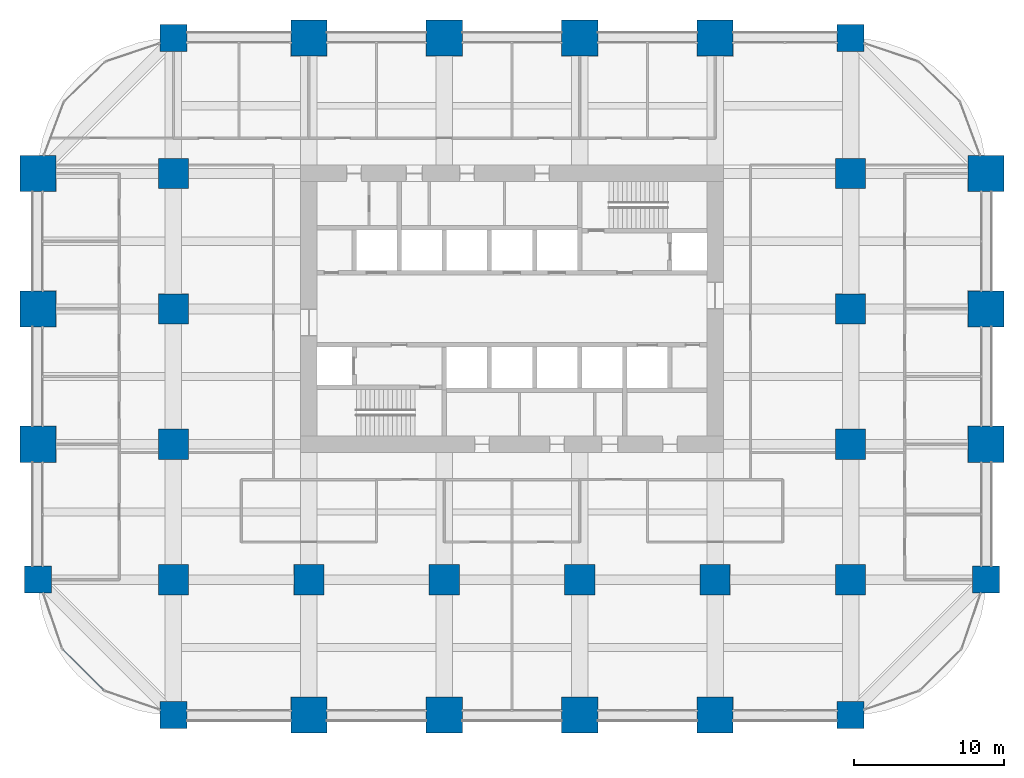
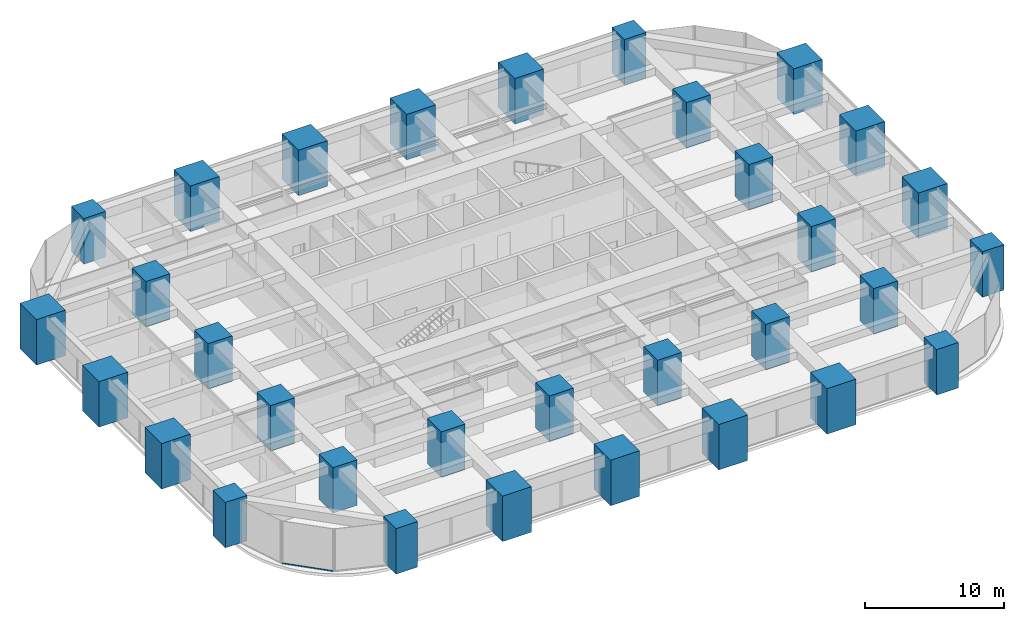
# One storey, part 1 of 41: 32 columns, 1 member, 1 element without a shape of its own.
"""IFC4 building model written with IfcOpenShell, lengths in metres."""

from ifc_helpers import new_model, si_unit, direction, frame, origin, origin_2d, place, context, subcontext, project, spatial, rectangle, hollow_rectangle, extrude, material, material_profile, profile_set, type_object, element, aggregate, save


model = new_model("IFC4")

# Units and contexts
model_context = context("Model", 3, precision=1e-05, world=origin(), true_north=direction((0.0, 1.0)))
body_context = subcontext(model_context, "Body", "Model", "MODEL_VIEW")
ifc_project = project(units=[si_unit("LENGTHUNIT", "METRE"), si_unit("AREAUNIT", "SQUARE_METRE"), si_unit("VOLUMEUNIT", "CUBIC_METRE"), si_unit("PLANEANGLEUNIT", "RADIAN"), si_unit("MASSUNIT", "GRAM", prefix="KILO")], contexts=[model_context])

# Site, building, storey
site_placement = place(None, origin())
site = spatial("IfcSite", under=ifc_project, at=site_placement, CompositionType="ELEMENT")
building_placement = place(site_placement, origin())
building = spatial("IfcBuilding", under=site, at=building_placement, Name="Zorevar Civic Tower", CompositionType="ELEMENT")
storey_placement = place(building_placement, frame((0.0, 0.0, 109.0)))
storey = spatial("IfcBuildingStorey", under=building, at=storey_placement, Name="L26", CompositionType="ELEMENT", Elevation=109.0)

# Columns
ifc_material_1 = material(Name="Concrete C50/60", Category="concrete")
ifc_material_profile_1 = material_profile(ifc_material_1, rectangle(XDim=1.800048828125, YDim=1.800048828125, at=origin_2d()), Name="RC 1800x1800")
ifc_profile_set_1 = profile_set([ifc_material_profile_1], Name="Concrete C50/60")
column_type_1 = type_object("IfcColumnType", Name="Column RC 1800x1800", PredefinedType="COLUMN", material=ifc_profile_set_1)
for number, where, z_axis, x_axis, name in (
    (1, (0.0, 9.0, 0.0), (0.0, 0.0, 1.0), (1.0, 0.0, 0.0), "Column 2B L26"),
    (2, (9.0, 0.0, 0.0), (0.0, 0.0, 1.0), (1.0, 0.0, 0.0), "Column 3A L26"),
    (3, (9.0, 45.0, 0.0), (0.0, 0.0, 1.0), (1.0, 0.0, 0.0), "Column 3F L26"),
    (4, (54.0, 0.0, 0.0), (0.0, 0.0, 1.0), (1.0, 0.0, 0.0), "Column 8A L26"),
    (5, (54.0, 45.0, 0.0), (0.0, 0.0, 1.0), (1.0, 0.0, 0.0), "Column 8F L26"),
    (6, (63.0, 9.0, 0.0), (0.0, 0.0, 1.0), (1.0, 0.0, 0.0), "Column 9B L26"),
):
    element("IfcColumn", number, at=place(storey_placement, frame(where, z_axis=z_axis, x_axis=x_axis)), inside=storey, type_object=column_type_1, Name=name, PredefinedType="COLUMN", context=body_context, shape_type="SweptSolid", body=[
        extrude(rectangle(XDim=1.800048828125, YDim=1.800048828125, at=origin_2d()), origin(), (0.0, 0.0, 1.0), 4.0),
    ])
ifc_material_2 = material(Name="Concrete C50/60", Category="concrete")
ifc_material_profile_2 = material_profile(ifc_material_2, rectangle(XDim=2.0, YDim=2.0, at=origin_2d()), Name="RC 2000x2000")
ifc_profile_set_2 = profile_set([ifc_material_profile_2], Name="Concrete C50/60")
column_type_2 = type_object("IfcColumnType", Name="Column RC 2000x2000", PredefinedType="COLUMN", material=ifc_profile_set_2)
for number, where, z_axis, x_axis, name in (
    (7, (9.0, 9.0, 0.0), (0.0, 0.0, 1.0), (1.0, 0.0, 0.0), "Column 3B L26"),
    (8, (9.0, 18.0, 0.0), (0.0, 0.0, 1.0), (1.0, 0.0, 0.0), "Column 3C L26"),
    (9, (9.0, 27.0, 0.0), (0.0, 0.0, 1.0), (1.0, 0.0, 0.0), "Column 3D L26"),
    (10, (9.0, 36.0, 0.0), (0.0, 0.0, 1.0), (1.0, 0.0, 0.0), "Column 3E L26"),
    (11, (18.0, 9.0, 0.0), (0.0, 0.0, 1.0), (1.0, 0.0, 0.0), "Column 4B L26"),
    (12, (27.0, 9.0, 0.0), (0.0, 0.0, 1.0), (1.0, 0.0, 0.0), "Column 5B L26"),
    (13, (36.0, 9.0, 0.0), (0.0, 0.0, 1.0), (1.0, 0.0, 0.0), "Column 6B L26"),
    (14, (45.0, 9.0, 0.0), (0.0, 0.0, 1.0), (1.0, 0.0, 0.0), "Column 7B L26"),
    (15, (54.0, 9.0, 0.0), (0.0, 0.0, 1.0), (1.0, 0.0, 0.0), "Column 8B L26"),
    (16, (54.0, 18.0, 0.0), (0.0, 0.0, 1.0), (1.0, 0.0, 0.0), "Column 8C L26"),
    (17, (54.0, 27.0, 0.0), (0.0, 0.0, 1.0), (1.0, 0.0, 0.0), "Column 8D L26"),
    (18, (54.0, 36.0, 0.0), (0.0, 0.0, 1.0), (1.0, 0.0, 0.0), "Column 8E L26"),
):
    element("IfcColumn", number, at=place(storey_placement, frame(where, z_axis=z_axis, x_axis=x_axis)), inside=storey, type_object=column_type_2, Name=name, PredefinedType="COLUMN", context=body_context, shape_type="SweptSolid", body=[
        extrude(rectangle(XDim=2.0, YDim=2.0, at=origin_2d()), origin(), (0.0, 0.0, 1.0), 4.0),
    ])
ifc_material_3 = material(Name="Concrete C50/60", Category="concrete")
ifc_material_profile_3 = material_profile(ifc_material_3, rectangle(XDim=2.39990234375, YDim=2.39990234375, at=origin_2d()), Name="RC 2400x2400")
ifc_profile_set_3 = profile_set([ifc_material_profile_3], Name="Concrete C50/60")
column_type_3 = type_object("IfcColumnType", Name="Mega column RC 2400x2400", PredefinedType="COLUMN", material=ifc_profile_set_3)
for number, where, z_axis, x_axis, name in (
    (19, (0.0, 18.0, 0.0), (0.0, 0.0, 1.0), (1.0, 0.0, 0.0), "Column 2C L26"),
    (20, (0.0, 27.0, 0.0), (0.0, 0.0, 1.0), (1.0, 0.0, 0.0), "Column 2D L26"),
    (21, (0.0, 36.0, 0.0), (0.0, 0.0, 1.0), (1.0, 0.0, 0.0), "Column 2E L26"),
    (22, (18.0, 0.0, 0.0), (0.0, 0.0, 1.0), (1.0, 0.0, 0.0), "Column 4A L26"),
    (23, (18.0, 45.0, 0.0), (0.0, 0.0, 1.0), (1.0, 0.0, 0.0), "Column 4F L26"),
    (24, (27.0, 0.0, 0.0), (0.0, 0.0, 1.0), (1.0, 0.0, 0.0), "Column 5A L26"),
    (25, (27.0, 45.0, 0.0), (0.0, 0.0, 1.0), (1.0, 0.0, 0.0), "Column 5F L26"),
    (26, (36.0, 0.0, 0.0), (0.0, 0.0, 1.0), (1.0, 0.0, 0.0), "Column 6A L26"),
    (27, (36.0, 45.0, 0.0), (0.0, 0.0, 1.0), (1.0, 0.0, 0.0), "Column 6F L26"),
    (28, (45.0, 0.0, 0.0), (0.0, 0.0, 1.0), (1.0, 0.0, 0.0), "Column 7A L26"),
    (29, (45.0, 45.0, 0.0), (0.0, 0.0, 1.0), (1.0, 0.0, 0.0), "Column 7F L26"),
    (30, (63.0, 18.0, 0.0), (0.0, 0.0, 1.0), (1.0, 0.0, 0.0), "Column 9C L26"),
    (31, (63.0, 27.0, 0.0), (0.0, 0.0, 1.0), (1.0, 0.0, 0.0), "Column 9D L26"),
    (32, (63.0, 36.0, 0.0), (0.0, 0.0, 1.0), (1.0, 0.0, 0.0), "Column 9E L26"),
):
    element("IfcColumn", number, at=place(storey_placement, frame(where, z_axis=z_axis, x_axis=x_axis)), inside=storey, type_object=column_type_3, Name=name, PredefinedType="COLUMN", context=body_context, shape_type="SweptSolid", body=[
        extrude(rectangle(XDim=2.39990234375, YDim=2.39990234375, at=origin_2d()), origin(), (0.0, 0.0, 1.0), 4.0),
    ])

# Curtain wall, member
ifc_material_4 = material(Name="Dark grey solar-control glass in black aluminium frame", Category="aluminium")
curtain_wall_type = type_object("IfcCurtainWallType", Name="Curtain wall CW3 mid zone", PredefinedType="NOTDEFINED", material=ifc_material_4)
curtain_wall_placement = place(storey_placement, origin())
curtain_wall = element("IfcCurtainWall", 33, at=curtain_wall_placement, inside=storey, type_object=curtain_wall_type, Name="CW3 L26", PredefinedType="NOTDEFINED")
ifc_material_5 = material(Name="Aluminium, black anodised", Category="aluminium")
ifc_material_profile_4 = material_profile(ifc_material_5, hollow_rectangle(XDim=0.06005859375, YDim=0.1201171875, WallThickness=0.0029296875, at=origin_2d()), Name="AL 120x60x3")
ifc_profile_set_4 = profile_set([ifc_material_profile_4], Name="Aluminium, black anodised")
member_type = type_object("IfcMemberType", Name="CW3 transom AL 120x60x3", PredefinedType="USERDEFINED", material=ifc_profile_set_4)
member_placement = place(storey_placement, frame((1.662841796875, 4.349853515625, 0.030029296875), z_axis=(0.707106781187, -0.707106781187, 0.0), x_axis=(0.707106781187, 0.707106781187, 0.0)))
member = element("IfcMember", 34, at=member_placement, type_object=member_type, Name="CW3 sill transom", ObjectType="TRANSOM", PredefinedType="USERDEFINED", context=body_context, shape_type="SweptSolid", body=[
    extrude(hollow_rectangle(XDim=0.06005859375, YDim=0.1201171875, WallThickness=0.0029296875, at=origin_2d()), origin(), (0.0, 0.0, 1.0), 3.800048828125),
])
aggregate(curtain_wall, [member])

save(model, "model.ifc")
